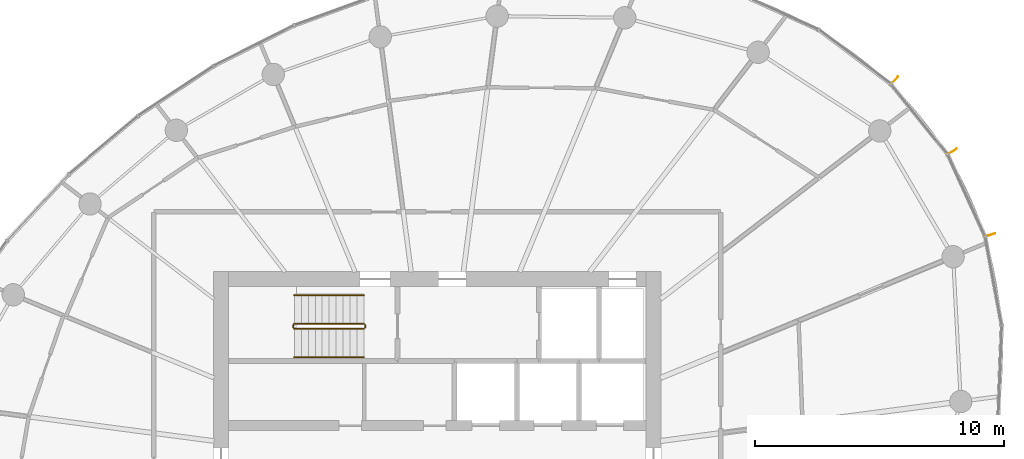
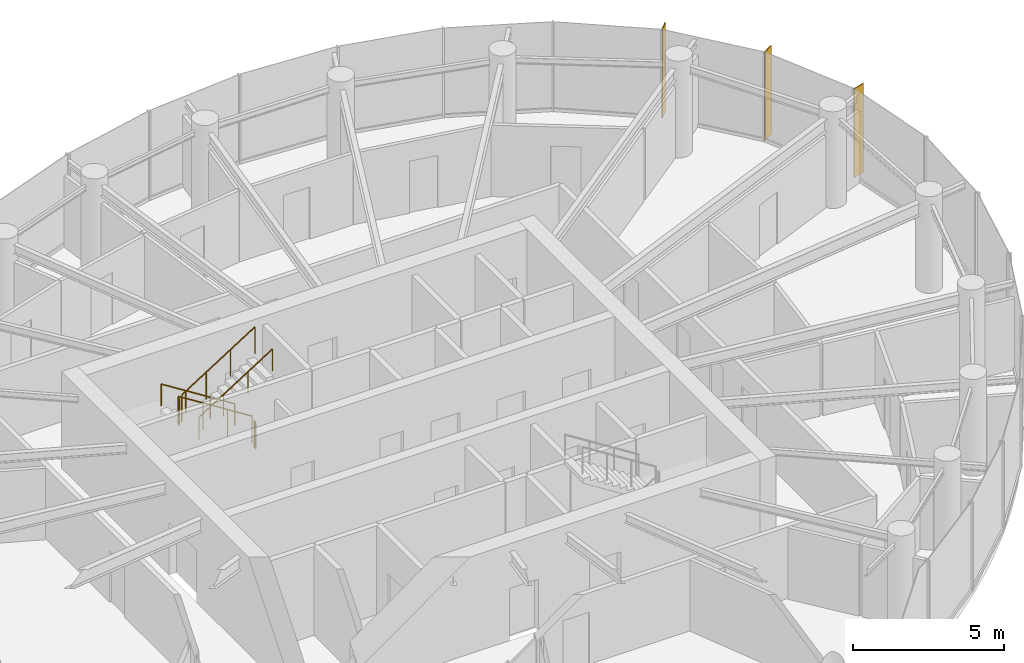
# One storey, part 15 of 15: 6 railings, 3 shading devices.
"""IFC4 building model written with IfcOpenShell, lengths in metres."""

from ifc_helpers import new_model, si_unit, direction, frame, origin, origin_2d, place, context, subcontext, project, spatial, rectangle, circle, extrude, source, transform, mapped, material, material_profile, profile_set, type_object, element, save


model = new_model("IFC4")

# Units and contexts
model_context = context("Model", 3, precision=1e-05, world=origin(), true_north=direction((0.0, 1.0)))
body_context = subcontext(model_context, "Body", "Model", "MODEL_VIEW")
ifc_project = project(units=[si_unit("LENGTHUNIT", "METRE"), si_unit("AREAUNIT", "SQUARE_METRE"), si_unit("VOLUMEUNIT", "CUBIC_METRE"), si_unit("PLANEANGLEUNIT", "RADIAN"), si_unit("MASSUNIT", "GRAM", prefix="KILO")], contexts=[model_context])

# Site, building, storey
site_placement = place(None, origin())
site = spatial("IfcSite", under=ifc_project, at=site_placement, CompositionType="ELEMENT")
building_placement = place(site_placement, origin())
building = spatial("IfcBuilding", under=site, at=building_placement, Name="Spindrift Exchange Tower", CompositionType="ELEMENT")
storey_placement = place(building_placement, frame((0.0, 0.0, 199.39990234375)))
storey = spatial("IfcBuildingStorey", under=building, at=storey_placement, Name="L48", CompositionType="ELEMENT", Elevation=199.39990234375)

# Railings
ifc_material_1 = material(Name="Steel balustrade", Category="steel")
railing_type_1 = type_object("IfcRailingType", Name="RL-STAIR-GUARD", PredefinedType="GUARDRAIL", material=ifc_material_1)
railing_1_placement = place(storey_placement, frame((49.050048828125, 53.89990234375, 0.177490234375)))
element("IfcRailing", 1, at=railing_1_placement, inside=storey, type_object=railing_type_1, Name="L48 ST1 stair guard 1", PredefinedType="GUARDRAIL", context=body_context, shape_type="SweptSolid", body=[
    extrude(circle(Radius=0.02392578125, at=origin_2d()), frame((0.0, 0.0, 1.076171875), z_axis=(-0.844908973607, 0.0, 0.534910110503), x_axis=(0.0, -1.0, 0.0)), (0.0, 0.0, 1.0), 3.31396484375),
    extrude(circle(Radius=0.02099609375, at=origin_2d()), origin(), (0.0, 0.0, 1.0), 1.052001953125),
    extrude(circle(Radius=0.02099609375, at=origin_2d()), frame((-0.933349609375, 0.0, 0.5908203125)), (0.0, 0.0, 1.0), 1.052001953125),
    extrude(circle(Radius=0.02099609375, at=origin_2d()), frame((-1.86669921875, 0.0, 1.181884765625)), (0.0, 0.0, 1.0), 1.052001953125),
    extrude(circle(Radius=0.02099609375, at=origin_2d()), frame((-2.800048828125, 0.0, 1.772705078125)), (0.0, 0.0, 1.0), 1.052001953125),
])
railing_2_placement = place(storey_placement, frame((46.199951171875, 53.85009765625, 1.9501953125)))
element("IfcRailing", 2, at=railing_2_placement, inside=storey, type_object=railing_type_1, Name="L48 ST1 stair guard 2", PredefinedType="GUARDRAIL", context=body_context, shape_type="SweptSolid", body=[
    extrude(circle(Radius=0.02392578125, at=origin_2d()), frame((0.0, 0.0, 1.076171875), z_axis=(0.0, -1.0, 0.0), x_axis=(1.0, 0.0, 0.0)), (0.0, 0.0, 1.0), 0.10009765625),
    extrude(circle(Radius=0.02099609375, at=origin_2d()), origin(), (0.0, 0.0, 1.0), 1.052001953125),
    extrude(circle(Radius=0.02099609375, at=origin_2d()), frame((0.0, -0.10009765625, 0.0)), (0.0, 0.0, 1.0), 1.052001953125),
])
railing_3_placement = place(storey_placement, frame((46.25, 53.699951171875, 2.12744140625)))
element("IfcRailing", 3, at=railing_3_placement, inside=storey, type_object=railing_type_1, Name="L48 ST1 stair guard 3", PredefinedType="GUARDRAIL", context=body_context, shape_type="SweptSolid", body=[
    extrude(circle(Radius=0.02392578125, at=origin_2d()), frame((0.0, 0.0, 1.076171875), z_axis=(0.844908973607, 0.0, 0.534910110503), x_axis=(0.0, 1.0, 0.0)), (0.0, 0.0, 1.0), 3.31396484375),
    extrude(circle(Radius=0.02099609375, at=origin_2d()), origin(), (0.0, 0.0, 1.0), 1.052001953125),
    extrude(circle(Radius=0.02099609375, at=origin_2d()), frame((0.933349609375, 0.0, 0.5908203125)), (0.0, 0.0, 1.0), 1.052001953125),
    extrude(circle(Radius=0.02099609375, at=origin_2d()), frame((1.86669921875, 0.0, 1.181884765625)), (0.0, 0.0, 1.0), 1.052001953125),
    extrude(circle(Radius=0.02099609375, at=origin_2d()), frame((2.800048828125, 0.0, 1.772705078125)), (0.0, 0.0, 1.0), 1.052001953125),
])
railing_4_placement = place(storey_placement, frame((49.10009765625, 53.85009765625, 0.0)))
element("IfcRailing", 4, at=railing_4_placement, inside=storey, type_object=railing_type_1, Name="L48 ST1 stair guard 4", PredefinedType="GUARDRAIL", context=body_context, shape_type="SweptSolid", body=[
    extrude(circle(Radius=0.02392578125, at=origin_2d()), frame((0.0, 0.0, 1.076171875), z_axis=(0.0, -1.0, 0.0), x_axis=(1.0, 0.0, 0.0)), (0.0, 0.0, 1.0), 0.10009765625),
    extrude(circle(Radius=0.02099609375, at=origin_2d()), origin(), (0.0, 0.0, 1.0), 1.052001953125),
    extrude(circle(Radius=0.02099609375, at=origin_2d()), frame((0.0, -0.10009765625, 0.0)), (0.0, 0.0, 1.0), 1.052001953125),
])
ifc_material_2 = material(Name="Steel tubular handrail", Category="steel")
railing_type_2 = type_object("IfcRailingType", Name="RL-STAIR-HAND", PredefinedType="HANDRAIL", material=ifc_material_2)
railing_5_placement = place(storey_placement, frame((49.050048828125, 55.050048828125, 0.177490234375)))
element("IfcRailing", 5, at=railing_5_placement, inside=storey, type_object=railing_type_2, Name="L48 ST1 stair handrail 1", PredefinedType="HANDRAIL", context=body_context, shape_type="SweptSolid", body=[
    extrude(circle(Radius=0.02392578125, at=origin_2d()), frame((0.0, 0.0, 0.8759765625), z_axis=(-0.844908973607, 0.0, 0.534910110503), x_axis=(0.0, -1.0, 0.0)), (0.0, 0.0, 1.0), 3.31396484375),
    extrude(circle(Radius=0.02099609375, at=origin_2d()), origin(), (0.0, 0.0, 1.0), 0.851806640625),
    extrude(circle(Radius=0.02099609375, at=origin_2d()), frame((-0.933349609375, 0.0, 0.5908203125)), (0.0, 0.0, 1.0), 0.851806640625),
    extrude(circle(Radius=0.02099609375, at=origin_2d()), frame((-1.86669921875, 0.0, 1.181884765625)), (0.0, 0.0, 1.0), 0.851806640625),
    extrude(circle(Radius=0.02099609375, at=origin_2d()), frame((-2.800048828125, 0.0, 1.772705078125)), (0.0, 0.0, 1.0), 0.851806640625),
])
railing_6_placement = place(storey_placement, frame((46.25, 52.550048828125, 2.12744140625)))
element("IfcRailing", 6, at=railing_6_placement, inside=storey, type_object=railing_type_2, Name="L48 ST1 stair handrail 2", PredefinedType="HANDRAIL", context=body_context, shape_type="SweptSolid", body=[
    extrude(circle(Radius=0.02392578125, at=origin_2d()), frame((0.0, 0.0, 0.8759765625), z_axis=(0.844908973607, 0.0, 0.534910110503), x_axis=(0.0, 1.0, 0.0)), (0.0, 0.0, 1.0), 3.31396484375),
    extrude(circle(Radius=0.02099609375, at=origin_2d()), origin(), (0.0, 0.0, 1.0), 0.851806640625),
    extrude(circle(Radius=0.02099609375, at=origin_2d()), frame((0.933349609375, 0.0, 0.5908203125)), (0.0, 0.0, 1.0), 0.851806640625),
    extrude(circle(Radius=0.02099609375, at=origin_2d()), frame((1.86669921875, 0.0, 1.181884765625)), (0.0, 0.0, 1.0), 0.851806640625),
    extrude(circle(Radius=0.02099609375, at=origin_2d()), frame((2.800048828125, 0.0, 1.772705078125)), (0.0, 0.0, 1.0), 0.851806640625),
])

# Shading devices
ifc_material_3 = material(Name="Bronze anodised aluminium", Category="aluminium")
ifc_material_profile = material_profile(ifc_material_3, rectangle(XDim=0.030029296875, YDim=0.449951171875, at=origin_2d()), Name="WIND FIN 30X450")
ifc_profile_set = profile_set([ifc_material_profile], Name="Bronze anodised aluminium")
shading_device_type = type_object("IfcShadingDeviceType", Name="WIND FIN 30X450", PredefinedType="USERDEFINED", material=ifc_profile_set)
shared_shape = source(origin(), body_context, "Body", "SweptSolid", [
    extrude(rectangle(XDim=0.030029296875, YDim=0.449951171875, at=origin_2d()), origin(), (0.0, 0.0, 1.0), 3.580078125),
])
for number, where, z_axis, x_axis, name in (
    (7, (72.70751953125, 60.82177734375, 0.0), (0.0, 0.0, 1.0), (-0.526433559497, 0.850216270978, 0.0), "L48 wind fin 2"),
    (8, (70.38818359375, 63.68359375, 0.0), (0.0, 0.0, 1.0), (-0.719532545442, 0.694458721631, 0.0), "L48 wind fin 3"),
    (9, (74.235595703125, 57.469970703125, 0.0), (0.0, 0.0, 1.0), (-0.300948814052, 0.953640294514, 0.0), "L48 wind fin 4"),
):
    element("IfcShadingDevice", number, at=place(storey_placement, frame(where, z_axis=z_axis, x_axis=x_axis)), inside=storey, type_object=shading_device_type, Name=name, ObjectType="FIN", PredefinedType="USERDEFINED", context=body_context, shape_type="MappedRepresentation", body=[
        mapped(shared_shape, transform((0.0, 0.0, 0.0), scale=1.0)),
    ])

save(model, "model.ifc")
